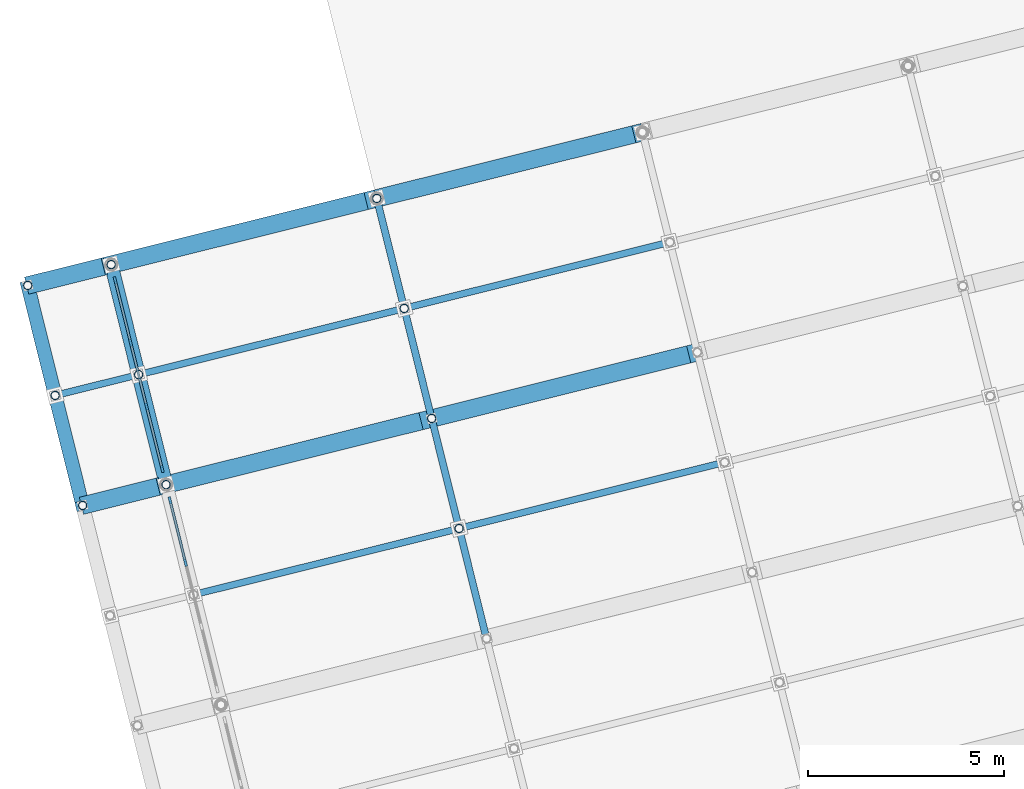
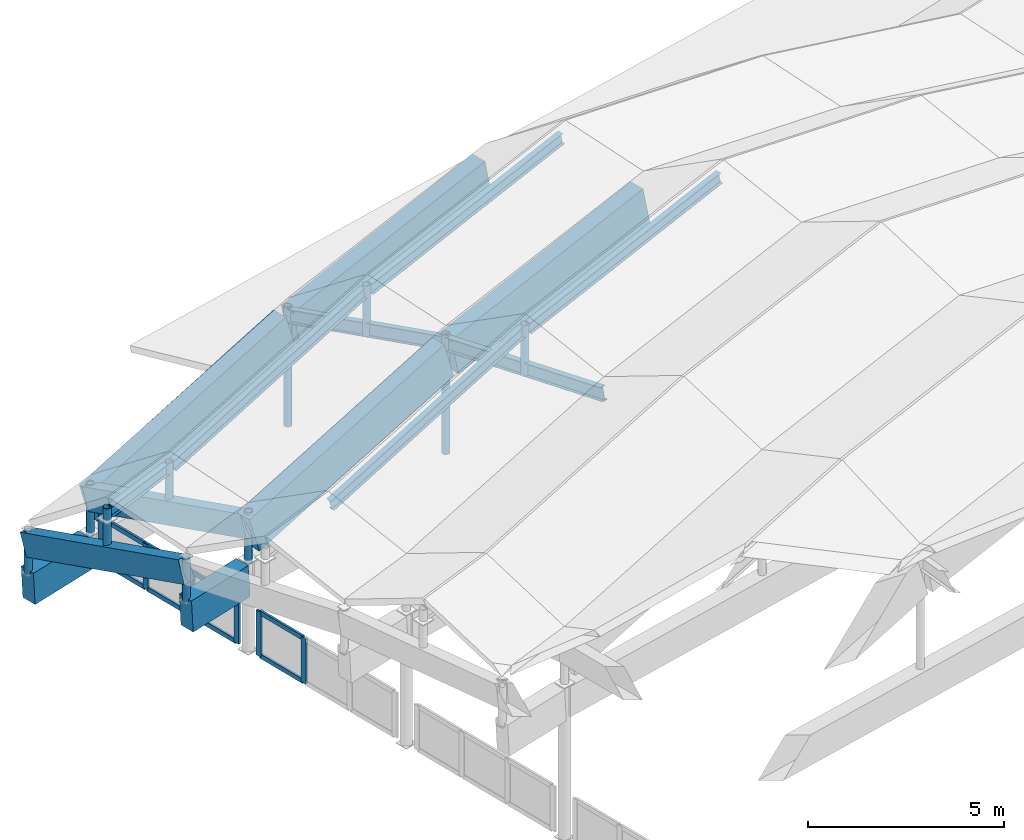
# One storey, part 27 of 65: 24 members, 15 beams, 2 elements without a shape of their own.
"""IFC4 building model written with IfcOpenShell, lengths in metres."""

from ifc_helpers import new_model, si_unit, direction, frame, origin, origin_2d, place, context, subcontext, project, spatial, rectangle, hollow_circle, i_section, extrude, material, material_profile, profile_set, type_object, element, aggregate, save


model = new_model("IFC4")

# Units and contexts
model_context = context("Model", 3, precision=1e-05, world=origin(), true_north=direction((0.0, 1.0)))
body_context = subcontext(model_context, "Body", "Model", "MODEL_VIEW")
ifc_project = project(units=[si_unit("LENGTHUNIT", "METRE"), si_unit("AREAUNIT", "SQUARE_METRE"), si_unit("VOLUMEUNIT", "CUBIC_METRE"), si_unit("PLANEANGLEUNIT", "RADIAN"), si_unit("MASSUNIT", "GRAM", prefix="KILO")], contexts=[model_context])

# Site, building, storey
site_placement = place(None, origin())
site = spatial("IfcSite", under=ifc_project, at=site_placement, CompositionType="ELEMENT")
building_placement = place(site_placement, origin())
building = spatial("IfcBuilding", under=site, at=building_placement, Name="Cinderway Yard Community Centre", CompositionType="ELEMENT")
storey_placement = place(building_placement, frame((0.0, 0.0, 24.300048828125)))
storey = spatial("IfcBuildingStorey", under=building, at=storey_placement, Name="RF", CompositionType="ELEMENT", Elevation=24.300048828125)

# Curtain wall, members
ifc_material_1 = material(Name="Aluminium 6063-T6", Category="aluminium")
curtain_wall_type = type_object("IfcCurtainWallType", Name="ENV-CW-TYPE-11", PredefinedType="USERDEFINED", material=ifc_material_1)
curtain_wall_1_placement = place(storey_placement, origin())
curtain_wall_1 = element("IfcCurtainWall", 1, at=curtain_wall_1_placement, inside=storey, type_object=curtain_wall_type, Name="Main Hall West Clerestory Curtain Wall ENV-CW-RF-HS-0042", ObjectType="GLAZED CURTAIN WALL", PredefinedType="USERDEFINED")
ifc_material_profile_1 = material_profile(ifc_material_1, rectangle(XDim=0.06494140625, YDim=0.179931640625, at=origin_2d()), Name="Aluminium 6063-T6")
ifc_profile_set_1 = profile_set([ifc_material_profile_1], Name="Aluminium 6063-T6")
member_type_1 = type_object("IfcMemberType", Name="ENV-CW-MULL-180", PredefinedType="MULLION", material=ifc_profile_set_1)
member_1_placement = place(storey_placement, frame((11.889404296875, 56.884033203125, -11.400146484375), z_axis=(0.0, 0.0, 1.0), x_axis=(-0.970305690025, -0.241881929678, 0.0)))
member_1 = element("IfcMember", 2, at=member_1_placement, type_object=member_type_1, Name="CW-11 mullion 3", PredefinedType="MULLION", context=body_context, shape_type="SweptSolid", body=[
    extrude(rectangle(XDim=0.06494140625, YDim=0.179931640625, at=origin_2d()), origin(), (0.0, 0.0, 1.0), 1.400146484375),
])
member_2_placement = place(storey_placement, frame((11.490234375, 58.48486328125, -11.400146484375), z_axis=(0.0, 0.0, 1.0), x_axis=(-0.970305690025, -0.241881929678, 0.0)))
member_2 = element("IfcMember", 3, at=member_2_placement, type_object=member_type_1, Name="CW-11 mullion 4", PredefinedType="MULLION", context=body_context, shape_type="SweptSolid", body=[
    extrude(rectangle(XDim=0.06494140625, YDim=0.179931640625, at=origin_2d()), origin(), (0.0, 0.0, 1.0), 1.400146484375),
])

curtain_wall_2_placement = place(storey_placement, origin())
curtain_wall_2 = element("IfcCurtainWall", 4, at=curtain_wall_2_placement, inside=storey, type_object=curtain_wall_type, Name="Main Hall West Clerestory Curtain Wall ENV-CW-RF-HS-0043", ObjectType="GLAZED CURTAIN WALL", PredefinedType="USERDEFINED")
member_3_placement = place(storey_placement, frame((11.291748046875, 59.281005859375, -11.400146484375), z_axis=(0.0, 0.0, 1.0), x_axis=(-0.97025910369, -0.242068733434, 0.0)))
member_3 = element("IfcMember", 5, at=member_3_placement, type_object=member_type_1, Name="CW-11 mullion 1", PredefinedType="MULLION", context=body_context, shape_type="SweptSolid", body=[
    extrude(rectangle(XDim=0.06494140625, YDim=0.179931640625, at=origin_2d()), origin(), (0.0, 0.0, 1.0), 1.400146484375),
])
member_4_placement = place(storey_placement, frame((10.892333984375, 60.882080078125, -11.400146484375), z_axis=(0.0, 0.0, 1.0), x_axis=(-0.97025910369, -0.242068733434, 0.0)))
member_4 = element("IfcMember", 6, at=member_4_placement, type_object=member_type_1, Name="CW-11 mullion 2", PredefinedType="MULLION", context=body_context, shape_type="SweptSolid", body=[
    extrude(rectangle(XDim=0.06494140625, YDim=0.179931640625, at=origin_2d()), origin(), (0.0, 0.0, 1.0), 1.400146484375),
])
member_5_placement = place(storey_placement, frame((10.485595703125, 62.511962890625, -11.400146484375), z_axis=(0.0, 0.0, 1.0), x_axis=(-0.97025910369, -0.242068733434, 0.0)))
member_5 = element("IfcMember", 7, at=member_5_placement, type_object=member_type_1, Name="CW-11 mullion 3", PredefinedType="MULLION", context=body_context, shape_type="SweptSolid", body=[
    extrude(rectangle(XDim=0.06494140625, YDim=0.179931640625, at=origin_2d()), origin(), (0.0, 0.0, 1.0), 1.400146484375),
])
member_6_placement = place(storey_placement, frame((10.086181640625, 64.11279296875, -11.400146484375), z_axis=(0.0, 0.0, 1.0), x_axis=(-0.97025910369, -0.242068733434, 0.0)))
member_6 = element("IfcMember", 8, at=member_6_placement, type_object=member_type_1, Name="CW-11 mullion 4", PredefinedType="MULLION", context=body_context, shape_type="SweptSolid", body=[
    extrude(rectangle(XDim=0.06494140625, YDim=0.179931640625, at=origin_2d()), origin(), (0.0, 0.0, 1.0), 1.400146484375),
])

# Member
ifc_material_profile_2 = material_profile(ifc_material_1, rectangle(XDim=0.06494140625, YDim=0.139892578125, at=origin_2d()), Name="Aluminium 6063-T6")
ifc_profile_set_2 = profile_set([ifc_material_profile_2], Name="Aluminium 6063-T6")
member_type_2 = type_object("IfcMemberType", Name="ENV-CW-TRAN-140", PredefinedType="USERDEFINED", material=ifc_profile_set_2)
member_7_placement = place(storey_placement, frame((11.882080078125, 56.9130859375, -11.3701171875), z_axis=(-0.241849083258, 0.97031387753, 0.0), x_axis=(-0.97031387753, -0.241849083258, 0.0)))
member_7 = element("IfcMember", 9, at=member_7_placement, type_object=member_type_2, Name="CW-11 transom 3.1", ObjectType="TRANSOM", PredefinedType="USERDEFINED", context=body_context, shape_type="SweptSolid", body=[
    extrude(rectangle(XDim=0.06494140625, YDim=0.139892578125, at=origin_2d()), origin(), (0.0, 0.0, 1.0), 1.58984375),
])

member_8_placement = place(storey_placement, frame((11.882080078125, 56.9130859375, -10.030029296875), z_axis=(-0.241849083258, 0.97031387753, 0.0), x_axis=(-0.97031387753, -0.241849083258, 0.0)))
member_8 = element("IfcMember", 10, at=member_8_placement, type_object=member_type_2, Name="CW-11 transom 3.2", ObjectType="TRANSOM", PredefinedType="USERDEFINED", context=body_context, shape_type="SweptSolid", body=[
    extrude(rectangle(XDim=0.06494140625, YDim=0.139892578125, at=origin_2d()), origin(), (0.0, 0.0, 1.0), 1.58984375),
])

aggregate(curtain_wall_1, [member_1, member_2, member_7, member_8])

member_9_placement = place(storey_placement, frame((11.284423828125, 59.310302734375, -11.3701171875), z_axis=(-0.242029707335, 0.970268839429, 0.0), x_axis=(-0.970268839429, -0.242029707335, 0.0)))
member_9 = element("IfcMember", 11, at=member_9_placement, type_object=member_type_2, Name="CW-11 transom 1.1", ObjectType="TRANSOM", PredefinedType="USERDEFINED", context=body_context, shape_type="SweptSolid", body=[
    extrude(rectangle(XDim=0.06494140625, YDim=0.139892578125, at=origin_2d()), origin(), (0.0, 0.0, 1.0), 1.58984375),
])

member_10_placement = place(storey_placement, frame((11.284423828125, 59.310302734375, -10.030029296875), z_axis=(-0.242029707335, 0.970268839429, 0.0), x_axis=(-0.970268839429, -0.242029707335, 0.0)))
member_10 = element("IfcMember", 12, at=member_10_placement, type_object=member_type_2, Name="CW-11 transom 1.2", ObjectType="TRANSOM", PredefinedType="USERDEFINED", context=body_context, shape_type="SweptSolid", body=[
    extrude(rectangle(XDim=0.06494140625, YDim=0.139892578125, at=origin_2d()), origin(), (0.0, 0.0, 1.0), 1.58984375),
])

member_11_placement = place(storey_placement, frame((10.885009765625, 60.9111328125, -11.3701171875), z_axis=(-0.242039139108, 0.970266486662, 0.0), x_axis=(-0.970266486662, -0.242039139108, 0.0)))
member_11 = element("IfcMember", 13, at=member_11_placement, type_object=member_type_2, Name="CW-11 transom 2.1", ObjectType="TRANSOM", PredefinedType="USERDEFINED", context=body_context, shape_type="SweptSolid", body=[
    extrude(rectangle(XDim=0.06494140625, YDim=0.139892578125, at=origin_2d()), origin(), (0.0, 0.0, 1.0), 1.619873046875),
])

member_12_placement = place(storey_placement, frame((10.885009765625, 60.9111328125, -10.030029296875), z_axis=(-0.242039139108, 0.970266486662, 0.0), x_axis=(-0.970266486662, -0.242039139108, 0.0)))
member_12 = element("IfcMember", 14, at=member_12_placement, type_object=member_type_2, Name="CW-11 transom 2.2", ObjectType="TRANSOM", PredefinedType="USERDEFINED", context=body_context, shape_type="SweptSolid", body=[
    extrude(rectangle(XDim=0.06494140625, YDim=0.139892578125, at=origin_2d()), origin(), (0.0, 0.0, 1.0), 1.619873046875),
])

member_13_placement = place(storey_placement, frame((10.478515625, 62.541015625, -11.3701171875), z_axis=(-0.24213819782, 0.970241770466, 0.0), x_axis=(-0.970241770466, -0.24213819782, 0.0)))
member_13 = element("IfcMember", 15, at=member_13_placement, type_object=member_type_2, Name="CW-11 transom 3.1", ObjectType="TRANSOM", PredefinedType="USERDEFINED", context=body_context, shape_type="SweptSolid", body=[
    extrude(rectangle(XDim=0.06494140625, YDim=0.139892578125, at=origin_2d()), origin(), (0.0, 0.0, 1.0), 1.590087890625),
])

member_14_placement = place(storey_placement, frame((10.478515625, 62.541015625, -10.030029296875), z_axis=(-0.24213819782, 0.970241770466, 0.0), x_axis=(-0.970241770466, -0.24213819782, 0.0)))
member_14 = element("IfcMember", 16, at=member_14_placement, type_object=member_type_2, Name="CW-11 transom 3.2", ObjectType="TRANSOM", PredefinedType="USERDEFINED", context=body_context, shape_type="SweptSolid", body=[
    extrude(rectangle(XDim=0.06494140625, YDim=0.139892578125, at=origin_2d()), origin(), (0.0, 0.0, 1.0), 1.590087890625),
])

aggregate(curtain_wall_2, [member_3, member_4, member_5, member_6, member_9, member_10, member_11, member_12, member_13, member_14])

# Beams
ifc_material_2 = material(Name="Concrete C35/45", Category="concrete")
ifc_material_profile_3 = material_profile(ifc_material_2, rectangle(XDim=0.35009765625, YDim=0.699951171875, at=origin_2d()), Name="Concrete C35/45")
ifc_profile_set_3 = profile_set([ifc_material_profile_3], Name="Concrete C35/45")
beam_type_1 = type_object("IfcBeamType", Name="STR-BM-RC350X700", PredefinedType="BEAM", material=ifc_profile_set_3)
beam_1_placement = place(storey_placement, frame((9.256103515625, 58.35107421875, -7.85595703125), z_axis=(-0.227899545639, 0.914136127732, -0.335286350858), x_axis=(-0.97030075642, -0.2419017199, 0.0)))
element("IfcBeam", 17, at=beam_1_placement, inside=storey, type_object=beam_type_1, Name="Folded-plate valley beam B7-UW22", PredefinedType="BEAM", context=body_context, shape_type="SweptSolid", body=[
    extrude(rectangle(XDim=0.35009765625, YDim=0.699951171875, at=origin_2d()), origin(), (0.0, 0.0, 1.0), 6.156494140625),
])
beam_2_placement = place(storey_placement, frame((11.39111328125, 58.883056640625, -7.506103515625), z_axis=(-0.228052952331, 0.91411522468, -0.335239029561), x_axis=(-0.970261226344, -0.242060225261, 0.0)))
element("IfcBeam", 18, at=beam_2_placement, inside=storey, type_object=beam_type_1, Name="Folded-plate valley beam B7-U00", PredefinedType="BEAM", context=body_context, shape_type="SweptSolid", body=[
    extrude(rectangle(XDim=0.35009765625, YDim=0.699951171875, at=origin_2d()), origin(), (0.0, 0.0, 1.0), 6.15673828125),
])
ifc_material_3 = material(Name="Concrete C40/50", Category="concrete")
ifc_material_profile_4 = material_profile(ifc_material_3, rectangle(XDim=0.449951171875, YDim=1.0, at=origin_2d()), Name="Concrete C40/50")
ifc_profile_set_4 = profile_set([ifc_material_profile_4], Name="Concrete C40/50")
beam_type_2 = type_object("IfcBeamType", Name="STR-BM-RC450X1000", PredefinedType="BEAM", material=ifc_profile_set_4)
beam_3_placement = place(storey_placement, frame((11.216064453125, 58.840087890625, -9.0859375), z_axis=(-0.968545360356, -0.241653756452, -0.059357787406), x_axis=(0.242080599731, -0.970256143105, 0.0)))
element("IfcBeam", 19, at=beam_3_placement, inside=storey, type_object=beam_type_2, Name="Main Hall west folded-plate eave rib 07", PredefinedType="BEAM", context=body_context, shape_type="SweptSolid", body=[
    extrude(rectangle(XDim=0.449951171875, YDim=1.0, at=origin_2d()), origin(), (0.0, 0.0, 1.0), 2.023681640625),
])
beam_4_placement = place(storey_placement, frame((9.81298828125, 64.467041015625, -11.150146484375), z_axis=(-0.968665148732, -0.241201000537, -0.059244467866), x_axis=(0.241625414642, -0.970369599173, 0.0)))
element("IfcBeam", 20, at=beam_4_placement, inside=storey, type_object=beam_type_2, Name="Main Hall west folded-plate eave rib 08", PredefinedType="BEAM", context=body_context, shape_type="SweptSolid", body=[
    extrude(rectangle(XDim=0.449951171875, YDim=1.0, at=origin_2d()), origin(), (0.0, 0.0, 1.0), 2.0234375),
])
ifc_material_profile_5 = material_profile(ifc_material_3, rectangle(XDim=0.449951171875, YDim=1.199951171875, at=origin_2d()), Name="Concrete C40/50")
ifc_profile_set_5 = profile_set([ifc_material_profile_5], Name="Concrete C40/50")
beam_type_3 = type_object("IfcBeamType", Name="STR-BM-RC450X1200", PredefinedType="BEAM", material=ifc_profile_set_5)
beam_5_placement = place(storey_placement, frame((11.39111328125, 58.883056640625, -7.756103515625), z_axis=(0.928193541251, 0.231421731035, 0.291377302454), x_axis=(-0.241919030794, 0.970296440548, 0.0)))
element("IfcBeam", 21, at=beam_5_placement, inside=storey, type_object=beam_type_3, Name="Main Hall arch rib segment 07.1", PredefinedType="BEAM", context=body_context, shape_type="SweptSolid", body=[
    extrude(rectangle(XDim=0.449951171875, YDim=1.199951171875, at=origin_2d()), origin(), (0.0, 0.0, 1.0), 7.20751953125),
])
beam_6_placement = place(storey_placement, frame((18.284912109375, 60.60205078125, -5.656005859375), z_axis=(0.950292775874, 0.237000940583, 0.20192621), x_axis=(-0.241985666717, 0.970279824125, 0.0)))
element("IfcBeam", 22, at=beam_6_placement, inside=storey, type_object=beam_type_3, Name="Main Hall arch rib segment 07.2", PredefinedType="BEAM", context=body_context, shape_type="SweptSolid", body=[
    extrude(rectangle(XDim=0.449951171875, YDim=1.199951171875, at=origin_2d()), origin(), (0.0, 0.0, 1.0), 6.932861328125),
])
beam_7_placement = place(storey_placement, frame((9.987060546875, 64.510986328125, -9.820068359375), z_axis=(0.928212297607, 0.231392629981, 0.291340662045), x_axis=(-0.241885787901, 0.970304728223, 0.0)))
element("IfcBeam", 23, at=beam_7_placement, inside=storey, type_object=beam_type_3, Name="Main Hall arch rib segment 08.1", PredefinedType="BEAM", context=body_context, shape_type="SweptSolid", body=[
    extrude(rectangle(XDim=0.449951171875, YDim=1.199951171875, at=origin_2d()), origin(), (0.0, 0.0, 1.0), 7.20849609375),
])
beam_8_placement = place(storey_placement, frame((16.881103515625, 66.22998046875, -7.719970703125), z_axis=(0.950334727312, 0.236844203939, 0.201912676983), x_axis=(-0.241824944613, 0.970319893727, 0.0)))
element("IfcBeam", 24, at=beam_8_placement, inside=storey, type_object=beam_type_3, Name="Main Hall arch rib segment 08.2", PredefinedType="BEAM", context=body_context, shape_type="SweptSolid", body=[
    extrude(rectangle(XDim=0.449951171875, YDim=1.199951171875, at=origin_2d()), origin(), (0.0, 0.0, 1.0), 6.93310546875),
])
ifc_material_4 = material(Name="Steel S355", Category="steel")
ifc_material_profile_6 = material_profile(ifc_material_4, i_section(OverallWidth=0.172119140625, OverallDepth=0.35791015625, WebThickness=0.0078125, FlangeThickness=0.01318359375, FilletRadius=0.010986328125, at=origin_2d()), Name="Steel S355")
ifc_profile_set_6 = profile_set([ifc_material_profile_6], Name="Steel S355")
beam_type_4 = type_object("IfcBeamType", Name="STR-BM-W360X57", PredefinedType="JOIST", material=ifc_profile_set_6)
beam_9_placement = place(storey_placement, frame((12.194091796875, 56.094970703125, -5.4970703125), z_axis=(0.926978910408, 0.231057669412, 0.295503727666), x_axis=(-0.241858695017, 0.970311481765, 0.0)))
element("IfcBeam", 25, at=beam_9_placement, inside=storey, type_object=beam_type_4, Name="Folded-plate ridge beam B6.2", PredefinedType="JOIST", context=body_context, shape_type="SweptSolid", body=[
    extrude(i_section(OverallWidth=0.172119140625, OverallDepth=0.35791015625, WebThickness=0.0078125, FlangeThickness=0.01318359375, FilletRadius=0.010986328125, at=origin_2d()), origin(), (0.0, 0.0, 1.0), 7.10693359375),
])
beam_10_placement = place(storey_placement, frame((18.986083984375, 57.7880859375, -3.39697265625), z_axis=(0.950297293053, 0.236975633151, 0.201934653067), x_axis=(-0.241960257063, 0.970286160884, 0.0)))
element("IfcBeam", 26, at=beam_10_placement, inside=storey, type_object=beam_type_4, Name="Folded-plate ridge beam B6.3", PredefinedType="JOIST", context=body_context, shape_type="SweptSolid", body=[
    extrude(i_section(OverallWidth=0.172119140625, OverallDepth=0.35791015625, WebThickness=0.0078125, FlangeThickness=0.01318359375, FilletRadius=0.010986328125, at=origin_2d()), origin(), (0.0, 0.0, 1.0), 6.932373046875),
])
beam_11_placement = place(storey_placement, frame((8.656005859375, 61.18994140625, -7.54296875), z_axis=(0.955555724045, 0.238617088758, 0.173133310476), x_axis=(-0.242275841798, 0.970207409001, 0.0)))
element("IfcBeam", 27, at=beam_11_placement, inside=storey, type_object=beam_type_4, Name="Folded-plate ridge beam B7.1", PredefinedType="JOIST", context=body_context, shape_type="SweptSolid", body=[
    extrude(i_section(OverallWidth=0.172119140625, OverallDepth=0.35791015625, WebThickness=0.0078125, FlangeThickness=0.01318359375, FilletRadius=0.010986328125, at=origin_2d()), origin(), (0.0, 0.0, 1.0), 2.020751953125),
])
beam_12_placement = place(storey_placement, frame((10.791015625, 61.721923828125, -7.193115234375), z_axis=(0.926949471467, 0.23118773877, 0.295494343076), x_axis=(-0.241994109311, 0.970277718521, 0.0)))
element("IfcBeam", 28, at=beam_12_placement, inside=storey, type_object=beam_type_4, Name="Folded-plate ridge beam B7.2", PredefinedType="JOIST", context=body_context, shape_type="SweptSolid", body=[
    extrude(i_section(OverallWidth=0.172119140625, OverallDepth=0.35791015625, WebThickness=0.0078125, FlangeThickness=0.01318359375, FilletRadius=0.010986328125, at=origin_2d()), origin(), (0.0, 0.0, 1.0), 7.107177734375),
])
beam_13_placement = place(storey_placement, frame((17.5830078125, 63.416015625, -5.093017578125), z_axis=(0.950289361775, 0.2370088721, 0.2019329677), x_axis=(-0.241994109311, 0.970277718521, 0.0)))
element("IfcBeam", 29, at=beam_13_placement, inside=storey, type_object=beam_type_4, Name="Folded-plate ridge beam B7.3", PredefinedType="JOIST", context=body_context, shape_type="SweptSolid", body=[
    extrude(i_section(OverallWidth=0.172119140625, OverallDepth=0.35791015625, WebThickness=0.0078125, FlangeThickness=0.01318359375, FilletRadius=0.010986328125, at=origin_2d()), origin(), (0.0, 0.0, 1.0), 6.9326171875),
])
ifc_material_profile_7 = material_profile(ifc_material_4, i_section(OverallWidth=0.178955078125, OverallDepth=0.409912109375, WebThickness=0.0087890625, FlangeThickness=0.013427734375, FilletRadius=0.011962890625, at=origin_2d()), Name="Steel S355")
ifc_profile_set_7 = profile_set([ifc_material_profile_7], Name="Steel S355")
beam_type_5 = type_object("IfcBeamType", Name="STR-BM-W410X67", PredefinedType="JOIST", material=ifc_profile_set_7)
beam_14_placement = place(storey_placement, frame((19.5859375, 54.948974609375, -3.93212890625), z_axis=(-0.235753800268, 0.945805186874, -0.223321951768), x_axis=(-0.970310635396, -0.241862090534, 0.0)))
element("IfcBeam", 30, at=beam_14_placement, inside=storey, type_object=beam_type_5, Name="Folded-plate valley beam B6-U07", PredefinedType="JOIST", context=body_context, shape_type="SweptSolid", body=[
    extrude(i_section(OverallWidth=0.178955078125, OverallDepth=0.409912109375, WebThickness=0.0087890625, FlangeThickness=0.013427734375, FilletRadius=0.011962890625, at=origin_2d()), origin(), (0.0, 0.0, 1.0), 5.950439453125),
])
beam_15_placement = place(storey_placement, frame((18.18310546875, 60.576904296875, -5.260986328125), z_axis=(-0.22807775468, 0.914095664687, -0.335275489143), x_axis=(-0.970253826407, -0.24208988484, 0.0)))
element("IfcBeam", 31, at=beam_15_placement, inside=storey, type_object=beam_type_5, Name="Folded-plate valley beam B7-U07", PredefinedType="JOIST", context=body_context, shape_type="SweptSolid", body=[
    extrude(i_section(OverallWidth=0.178955078125, OverallDepth=0.409912109375, WebThickness=0.0087890625, FlangeThickness=0.013427734375, FilletRadius=0.011962890625, at=origin_2d()), origin(), (0.0, 0.0, 1.0), 6.156005859375),
])

# Members
ifc_material_profile_8 = material_profile(ifc_material_4, hollow_circle(Radius=0.109619140625, WallThickness=0.010009765625, at=origin_2d()), Name="Steel S355")
ifc_profile_set_8 = profile_set([ifc_material_profile_8], Name="Steel S355")
member_type_3 = type_object("IfcMemberType", Name="STR-MEM-STRUT-CHS219", PredefinedType="STRUT", material=ifc_profile_set_8)
member_15_placement = place(storey_placement, frame((9.256103515625, 58.35107421875, -8.80615234375), z_axis=(0.0, 0.0, 1.0), x_axis=(1.0, 0.0, 0.0)))
element("IfcMember", 32, at=member_15_placement, inside=storey, type_object=member_type_3, Name="Arch rib web post 07-W22", PredefinedType="STRUT", context=body_context, shape_type="SweptSolid", body=[
    extrude(hollow_circle(Radius=0.109619140625, WallThickness=0.010009765625, at=origin_2d()), origin(), (0.0, 0.0, 1.0), 1.380126953125),
])
member_16_placement = place(storey_placement, frame((11.39111328125, 58.883056640625, -8.68603515625), z_axis=(0.0, 0.0, 1.0), x_axis=(1.0, 0.0, 0.0)))
element("IfcMember", 33, at=member_16_placement, inside=storey, type_object=member_type_3, Name="Arch rib web post 07-00", PredefinedType="STRUT", context=body_context, shape_type="SweptSolid", body=[
    extrude(hollow_circle(Radius=0.109619140625, WallThickness=0.010009765625, at=origin_2d()), origin(), (0.0, 0.0, 1.0), 1.610107421875),
])
member_17_placement = place(storey_placement, frame((18.18310546875, 60.576904296875, -8.68603515625), z_axis=(0.0, 0.0, 1.0), x_axis=(1.0, 0.0, 0.0)))
element("IfcMember", 34, at=member_17_placement, inside=storey, type_object=member_type_3, Name="Arch rib web post 07-07", PredefinedType="STRUT", context=body_context, shape_type="SweptSolid", body=[
    extrude(hollow_circle(Radius=0.109619140625, WallThickness=0.010009765625, at=origin_2d()), origin(), (0.0, 0.0, 1.0), 3.7099609375),
])
member_18_placement = place(storey_placement, frame((7.85302734375, 63.97900390625, -10.8701171875), z_axis=(0.0, 0.0, 1.0), x_axis=(1.0, 0.0, 0.0)))
element("IfcMember", 35, at=member_18_placement, inside=storey, type_object=member_type_3, Name="Arch rib web post 08-W22", PredefinedType="STRUT", context=body_context, shape_type="SweptSolid", body=[
    extrude(hollow_circle(Radius=0.109619140625, WallThickness=0.010009765625, at=origin_2d()), origin(), (0.0, 0.0, 1.0), 1.380126953125),
])
member_19_placement = place(storey_placement, frame((9.987060546875, 64.510986328125, -10.75), z_axis=(0.0, 0.0, 1.0), x_axis=(1.0, 0.0, 0.0)))
element("IfcMember", 36, at=member_19_placement, inside=storey, type_object=member_type_3, Name="Arch rib web post 08-00", PredefinedType="STRUT", context=body_context, shape_type="SweptSolid", body=[
    extrude(hollow_circle(Radius=0.109619140625, WallThickness=0.010009765625, at=origin_2d()), origin(), (0.0, 0.0, 1.0), 1.60986328125),
])
member_20_placement = place(storey_placement, frame((16.779052734375, 66.2041015625, -10.75), z_axis=(0.0, 0.0, 1.0), x_axis=(1.0, 0.0, 0.0)))
element("IfcMember", 37, at=member_20_placement, inside=storey, type_object=member_type_3, Name="Arch rib web post 08-07", PredefinedType="STRUT", context=body_context, shape_type="SweptSolid", body=[
    extrude(hollow_circle(Radius=0.109619140625, WallThickness=0.010009765625, at=origin_2d()), origin(), (0.0, 0.0, 1.0), 3.7099609375),
])
for number, where, z_axis, x_axis, name in (
    (38, (18.884033203125, 57.762939453125, -4.7919921875), (0.0, 0.0, 1.0), (1.0, 0.0, 0.0), "Folded-plate ridge kingpost B6-U07"),
    (39, (8.553955078125, 61.1650390625, -8.93798828125), (0.0, 0.0, 1.0), (1.0, 0.0, 0.0), "Folded-plate ridge kingpost B7-UW22"),
    (40, (10.68896484375, 61.697021484375, -8.588134765625), (0.0, 0.0, 1.0), (1.0, 0.0, 0.0), "Folded-plate ridge kingpost B7-U00"),
    (41, (17.48095703125, 63.389892578125, -6.488037109375), (0.0, 0.0, 1.0), (1.0, 0.0, 0.0), "Folded-plate ridge kingpost B7-U07"),
):
    element("IfcMember", number, at=place(storey_placement, frame(where, z_axis=z_axis, x_axis=x_axis)), inside=storey, type_object=member_type_3, Name=name, PredefinedType="STRUT", context=body_context, shape_type="SweptSolid", body=[
        extrude(hollow_circle(Radius=0.109619140625, WallThickness=0.010009765625, at=origin_2d()), origin(), (0.0, 0.0, 1.0), 1.583984375),
    ])

save(model, "model.ifc")
